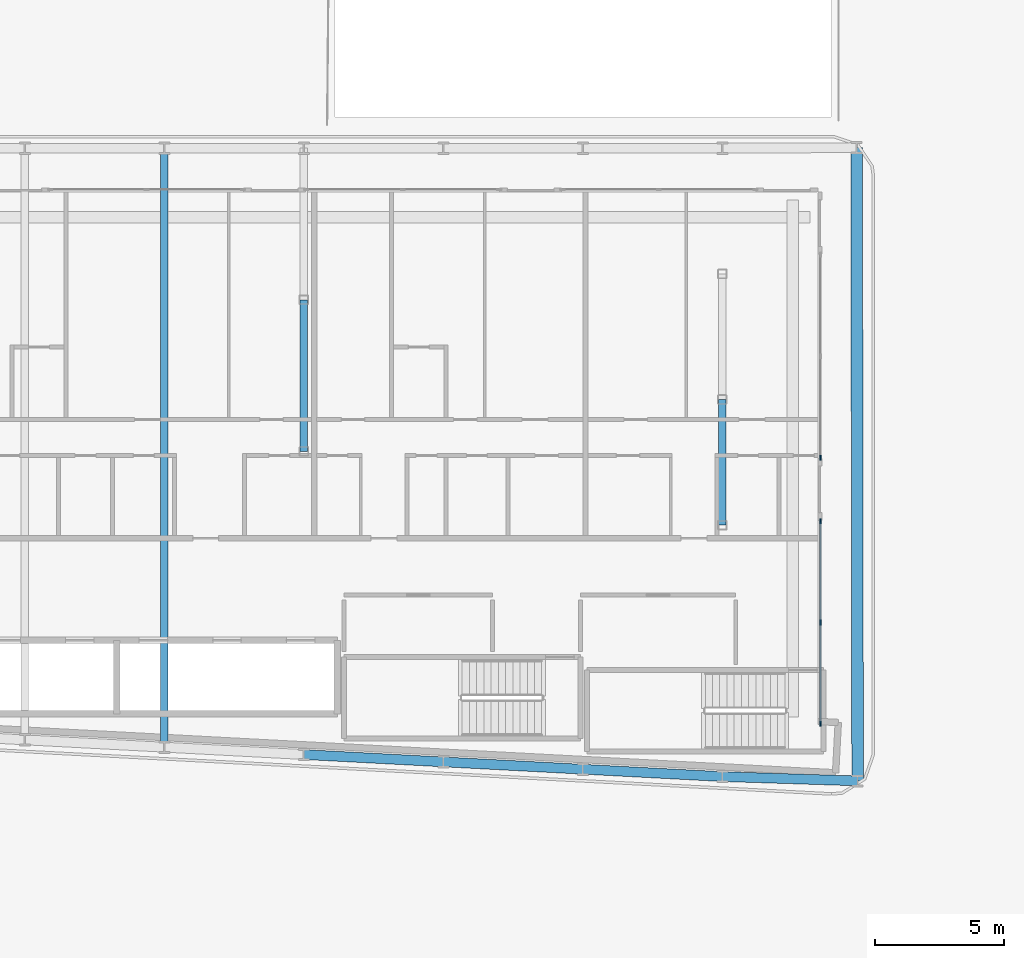
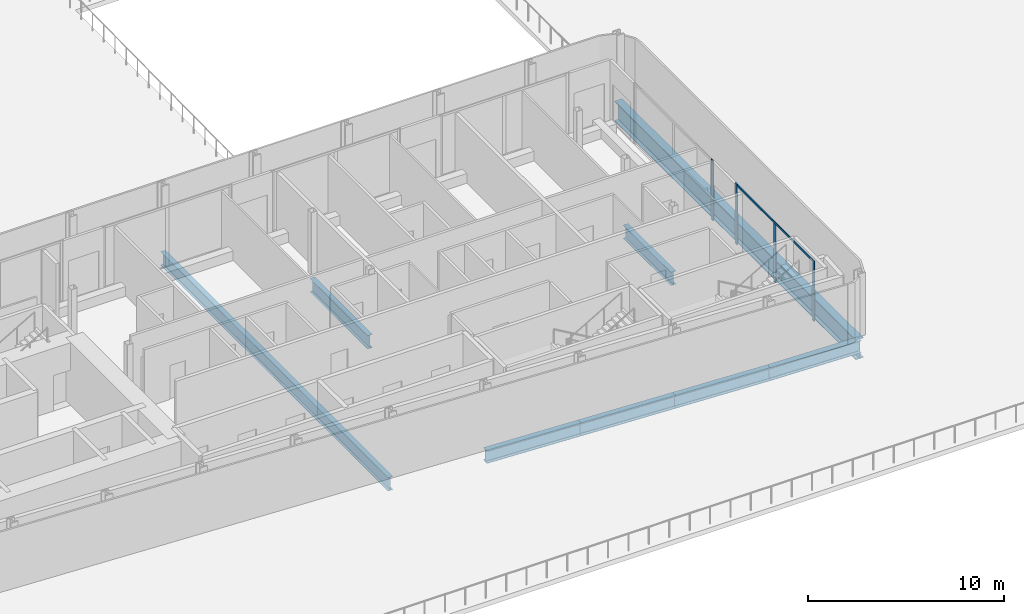
# One storey, part 5 of 27: 8 beams, 5 members, 2 elements without a shape of their own.
"""IFC4 building model written with IfcOpenShell, lengths in metres."""

from ifc_helpers import new_model, si_unit, direction, frame, origin, origin_2d, place, context, subcontext, project, spatial, rectangle, i_section, extrude, material, layer, layer_set, material_profile, profile_set, type_object, element, aggregate, save


model = new_model("IFC4")

# Units and contexts
model_context = context("Model", 3, precision=1e-05, world=origin(), true_north=direction((0.0, 1.0)))
body_context = subcontext(model_context, "Body", "Model", "MODEL_VIEW")
ifc_project = project(units=[si_unit("LENGTHUNIT", "METRE"), si_unit("AREAUNIT", "SQUARE_METRE"), si_unit("VOLUMEUNIT", "CUBIC_METRE"), si_unit("PLANEANGLEUNIT", "RADIAN"), si_unit("MASSUNIT", "GRAM", prefix="KILO")], contexts=[model_context])

# Site, building, storey
site_placement = place(None, origin())
site = spatial("IfcSite", under=ifc_project, at=site_placement, CompositionType="ELEMENT")
building_placement = place(site_placement, origin())
building = spatial("IfcBuilding", under=site, at=building_placement, Name="Kheshtan School and Residences Tower", CompositionType="ELEMENT")
storey_placement = place(building_placement, frame((0.0, 0.0, 30.5)))
storey = spatial("IfcBuildingStorey", under=building, at=storey_placement, Name="L06", CompositionType="ELEMENT", Elevation=30.5)

# Beams
ifc_material_1 = material(Name="Steel ASTM A992 Grade 50", Category="steel")
ifc_material_profile_1 = material_profile(ifc_material_1, i_section(OverallWidth=0.2919921875, OverallDepth=0.8349609375, WebThickness=0.013916015625, FlangeThickness=0.018798828125, FilletRadius=0.016845703125, at=origin_2d()), Name="W840x176")
ifc_profile_set_1 = profile_set([ifc_material_profile_1], Name="Steel ASTM A992 Grade 50")
beam_type_1 = type_object("IfcBeamType", Name="Beam FB8 W840x176 ASTM A992 Grade 50", PredefinedType="BEAM", material=ifc_profile_set_1)
beam_1_placement = place(storey_placement, frame((63.800048828125, 22.410888671875, -0.717529296875), z_axis=(0.0, 1.0, 0.0), x_axis=(-1.0, 0.0, 0.0)))
element("IfcBeam", 1, at=beam_1_placement, inside=storey, type_object=beam_type_1, Name="Floor beam C016", PredefinedType="BEAM", context=body_context, shape_type="SweptSolid", body=[
    extrude(i_section(OverallWidth=0.2919921875, OverallDepth=0.8349609375, WebThickness=0.013916015625, FlangeThickness=0.018798828125, FilletRadius=0.016845703125, at=origin_2d()), origin(), (0.0, 0.0, 1.0), 23.189208984375),
])
beam_2_placement = place(storey_placement, frame((85.39990234375, 31.0048828125, -0.717529296875), z_axis=(0.0, 1.0, 0.0), x_axis=(-1.0, 0.0, 0.0)))
element("IfcBeam", 2, at=beam_2_placement, inside=storey, type_object=beam_type_1, Name="Floor beam IC", PredefinedType="BEAM", context=body_context, shape_type="SweptSolid", body=[
    extrude(i_section(OverallWidth=0.2919921875, OverallDepth=0.8349609375, WebThickness=0.013916015625, FlangeThickness=0.018798828125, FilletRadius=0.016845703125, at=origin_2d()), origin(), (0.0, 0.0, 1.0), 4.865234375),
])
beam_3_placement = place(storey_placement, frame((69.199951171875, 33.863037109375, -0.717529296875), z_axis=(0.0, 1.0, 0.0), x_axis=(-1.0, 0.0, 0.0)))
element("IfcBeam", 3, at=beam_3_placement, inside=storey, type_object=beam_type_1, Name="Floor beam IC", PredefinedType="BEAM", context=body_context, shape_type="SweptSolid", body=[
    extrude(i_section(OverallWidth=0.2919921875, OverallDepth=0.8349609375, WebThickness=0.013916015625, FlangeThickness=0.018798828125, FilletRadius=0.016845703125, at=origin_2d()), origin(), (0.0, 0.0, 1.0), 5.868896484375),
])
ifc_material_profile_2 = material_profile(ifc_material_1, i_section(OverallWidth=0.381103515625, OverallDepth=0.77294921875, WebThickness=0.0166015625, FlangeThickness=0.027099609375, FilletRadius=0.023193359375, at=origin_2d()), Name="W760x257")
ifc_profile_set_2 = profile_set([ifc_material_profile_2], Name="Steel ASTM A992 Grade 50")
beam_type_2 = type_object("IfcBeamType", Name="Beam SP6 W760x257 ASTM A992 Grade 50", PredefinedType="BEAM", material=ifc_profile_set_2)
beam_4_placement = place(storey_placement, frame((90.637939453125, 21.10693359375, -0.6865234375), z_axis=(-0.999492198162, 0.031864491426, 0.0), x_axis=(-0.031864491426, -0.999492198162, 0.0)))
element("IfcBeam", 4, at=beam_4_placement, inside=storey, type_object=beam_type_2, Name="Spandrel beam C007-C008", PredefinedType="BEAM", context=body_context, shape_type="SweptSolid", body=[
    extrude(i_section(OverallWidth=0.381103515625, OverallDepth=0.77294921875, WebThickness=0.0166015625, FlangeThickness=0.027099609375, FilletRadius=0.023193359375, at=origin_2d()), origin(), (0.0, 0.0, 1.0), 5.24072265625),
])
for number, where, z_axis, x_axis, name in (
    (5, (85.39990234375, 21.27392578125, -0.6865234375), (-0.998618078766, 0.052554093665, 0.0), (-0.052554093665, -0.998618078766, 0.0), "Spandrel beam C008-C012"),
    (6, (80.0, 21.55810546875, -0.6865234375), (-0.998610961136, 0.052689166816, 0.0), (-0.052689166816, -0.998610961136, 0.0), "Spandrel beam C012-C013"),
):
    element("IfcBeam", number, at=place(storey_placement, frame(where, z_axis=z_axis, x_axis=x_axis)), inside=storey, type_object=beam_type_2, Name=name, PredefinedType="BEAM", context=body_context, shape_type="SweptSolid", body=[
        extrude(i_section(OverallWidth=0.381103515625, OverallDepth=0.77294921875, WebThickness=0.0166015625, FlangeThickness=0.027099609375, FilletRadius=0.023193359375, at=origin_2d()), origin(), (0.0, 0.0, 1.0), 5.407470703125),
    ])
beam_5_placement = place(storey_placement, frame((74.60009765625, 21.843017578125, -0.6865234375), z_axis=(-0.998620571751, 0.05250670125, 0.0), x_axis=(-0.05250670125, -0.998620571751, 0.0)))
element("IfcBeam", 7, at=beam_5_placement, inside=storey, type_object=beam_type_2, Name="Spandrel beam C013-C014", PredefinedType="BEAM", context=body_context, shape_type="SweptSolid", body=[
    extrude(i_section(OverallWidth=0.381103515625, OverallDepth=0.77294921875, WebThickness=0.0166015625, FlangeThickness=0.027099609375, FilletRadius=0.023193359375, at=origin_2d()), origin(), (0.0, 0.0, 1.0), 5.40771484375),
])

# Curtain wall, member
ifc_material_2 = material(Name="Clear low-e glass in thermally broken aluminium frame", Category="aluminium")
ifc_layer = layer(ifc_material_2, 0.199951171875)
ifc_layer_set = layer_set([ifc_layer], Name="Curtain wall CW-L")
curtain_wall_type = type_object("IfcCurtainWallType", Name="Curtain wall CW-L", PredefinedType="NOTDEFINED", material=ifc_layer_set)
curtain_wall_1_placement = place(storey_placement, origin())
curtain_wall_1 = element("IfcCurtainWall", 8, at=curtain_wall_1_placement, inside=storey, type_object=curtain_wall_type, Name="Curtain wall CWL13", PredefinedType="NOTDEFINED")
ifc_material_3 = material(Name="Thermally broken aluminium, dark bronze anodised", Category="aluminium")
ifc_material_profile_3 = material_profile(ifc_material_3, rectangle(XDim=0.06005859375, YDim=0.199951171875, at=origin_2d()), Name="CW-L mullion 60x200")
ifc_profile_set_3 = profile_set([ifc_material_profile_3], Name="Thermally broken aluminium, dark bronze anodised")
member_type_1 = type_object("IfcMemberType", Name="CW-L mullion 60x200", PredefinedType="MULLION", material=ifc_profile_set_3)
member_1_placement = place(storey_placement, frame((89.199951171875, 33.62158203125, 0.0), z_axis=(0.0, 0.0, 1.0), x_axis=(1.0, 0.0, 0.0)))
member_1 = element("IfcMember", 9, at=member_1_placement, type_object=member_type_1, Name="CWL13 mullion 3", PredefinedType="MULLION", context=body_context, shape_type="SweptSolid", body=[
    extrude(rectangle(XDim=0.06005859375, YDim=0.199951171875, at=origin_2d()), origin(), (0.0, 0.0, 1.0), 3.75),
])
aggregate(curtain_wall_1, [member_1])

# Curtain wall, members
curtain_wall_2_placement = place(storey_placement, origin())
curtain_wall_2 = element("IfcCurtainWall", 10, at=curtain_wall_2_placement, inside=storey, type_object=curtain_wall_type, Name="Curtain wall CWL13", PredefinedType="NOTDEFINED")
member_2_placement = place(storey_placement, frame((89.199951171875, 31.16162109375, 0.0), z_axis=(0.0, 0.0, 1.0), x_axis=(1.0, 0.0, 0.0)))
member_2 = element("IfcMember", 11, at=member_2_placement, type_object=member_type_1, Name="CWL13 mullion 1", PredefinedType="MULLION", context=body_context, shape_type="SweptSolid", body=[
    extrude(rectangle(XDim=0.06005859375, YDim=0.199951171875, at=origin_2d()), origin(), (0.0, 0.0, 1.0), 3.75),
])
member_3_placement = place(storey_placement, frame((89.199951171875, 27.2373046875, 0.0), z_axis=(0.0, 0.0, 1.0), x_axis=(1.0, 0.0, 0.0)))
member_3 = element("IfcMember", 12, at=member_3_placement, type_object=member_type_1, Name="CWL13 mullion 2", PredefinedType="MULLION", context=body_context, shape_type="SweptSolid", body=[
    extrude(rectangle(XDim=0.06005859375, YDim=0.199951171875, at=origin_2d()), origin(), (0.0, 0.0, 1.0), 3.6298828125),
])
member_4_placement = place(storey_placement, frame((89.199951171875, 23.31298828125, 0.0), z_axis=(0.0, 0.0, 1.0), x_axis=(1.0, 0.0, 0.0)))
member_4 = element("IfcMember", 13, at=member_4_placement, type_object=member_type_1, Name="CWL13 mullion 3", PredefinedType="MULLION", context=body_context, shape_type="SweptSolid", body=[
    extrude(rectangle(XDim=0.06005859375, YDim=0.199951171875, at=origin_2d()), origin(), (0.0, 0.0, 1.0), 3.75),
])
ifc_material_profile_4 = material_profile(ifc_material_3, rectangle(XDim=0.06005859375, YDim=0.1201171875, at=origin_2d()), Name="CW-L transom 60x120")
ifc_profile_set_4 = profile_set([ifc_material_profile_4], Name="Thermally broken aluminium, dark bronze anodised")
member_type_2 = type_object("IfcMemberType", Name="CW-L transom 60x120", PredefinedType="USERDEFINED", material=ifc_profile_set_4)
member_5_placement = place(storey_placement, frame((89.199951171875, 31.131591796875, 3.68994140625), z_axis=(0.0, -1.0, 0.0), x_axis=(1.0, 0.0, 0.0)))
member_5 = element("IfcMember", 14, at=member_5_placement, type_object=member_type_2, Name="CWL13 transom 1", ObjectType="TRANSOM", PredefinedType="USERDEFINED", context=body_context, shape_type="SweptSolid", body=[
    extrude(rectangle(XDim=0.06005859375, YDim=0.1201171875, at=origin_2d()), origin(), (0.0, 0.0, 1.0), 7.78857421875),
])
aggregate(curtain_wall_2, [member_2, member_3, member_4, member_5])

# Beam
ifc_material_profile_5 = material_profile(ifc_material_1, i_section(OverallWidth=0.449951171875, OverallDepth=1.25, WebThickness=0.02490234375, FlangeThickness=0.044921875, FilletRadius=0.03759765625, at=origin_2d()), Name="WWF1250x546")
ifc_profile_set_5 = profile_set([ifc_material_profile_5], Name="Steel ASTM A992 Grade 50")
beam_type_3 = type_object("IfcBeamType", Name="Transfer girder TG4 WWF1250x546 ASTM A992 Grade 50", PredefinedType="BEAM", material=ifc_profile_set_5)
beam_6_placement = place(storey_placement, frame((90.60107421875, 45.62109375, -0.925048828125), z_axis=(0.001503832579, -0.999998869243, 0.0), x_axis=(0.999998869243, 0.001503832579, 0.0)))
element("IfcBeam", 15, at=beam_6_placement, inside=storey, type_object=beam_type_3, Name="Transfer girder C075-C007", PredefinedType="BEAM", context=body_context, shape_type="SweptSolid", body=[
    extrude(i_section(OverallWidth=0.449951171875, OverallDepth=1.25, WebThickness=0.02490234375, FlangeThickness=0.044921875, FilletRadius=0.03759765625, at=origin_2d()), origin(), (0.0, 0.0, 1.0), 24.51416015625),
])

save(model, "model.ifc")
